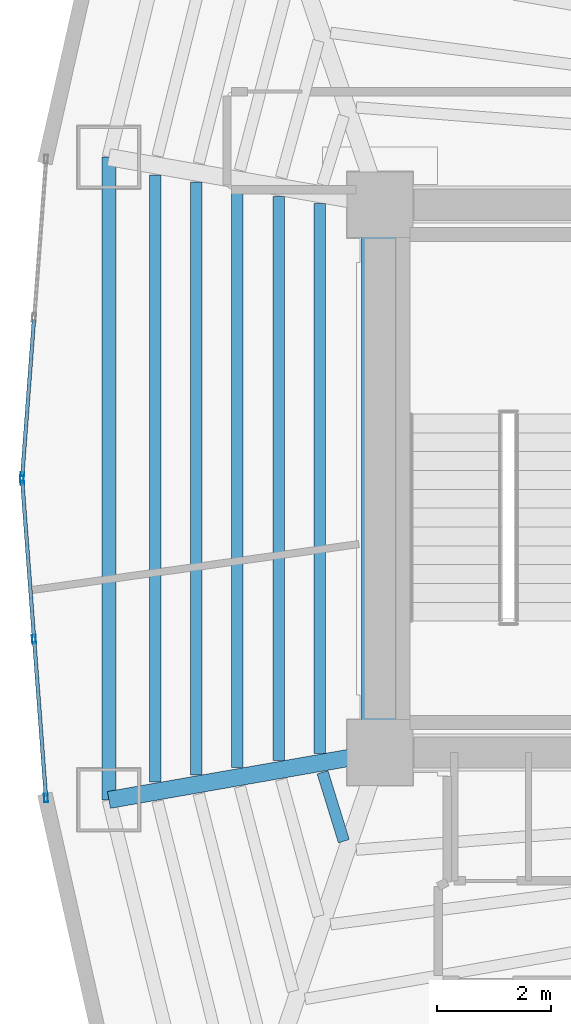
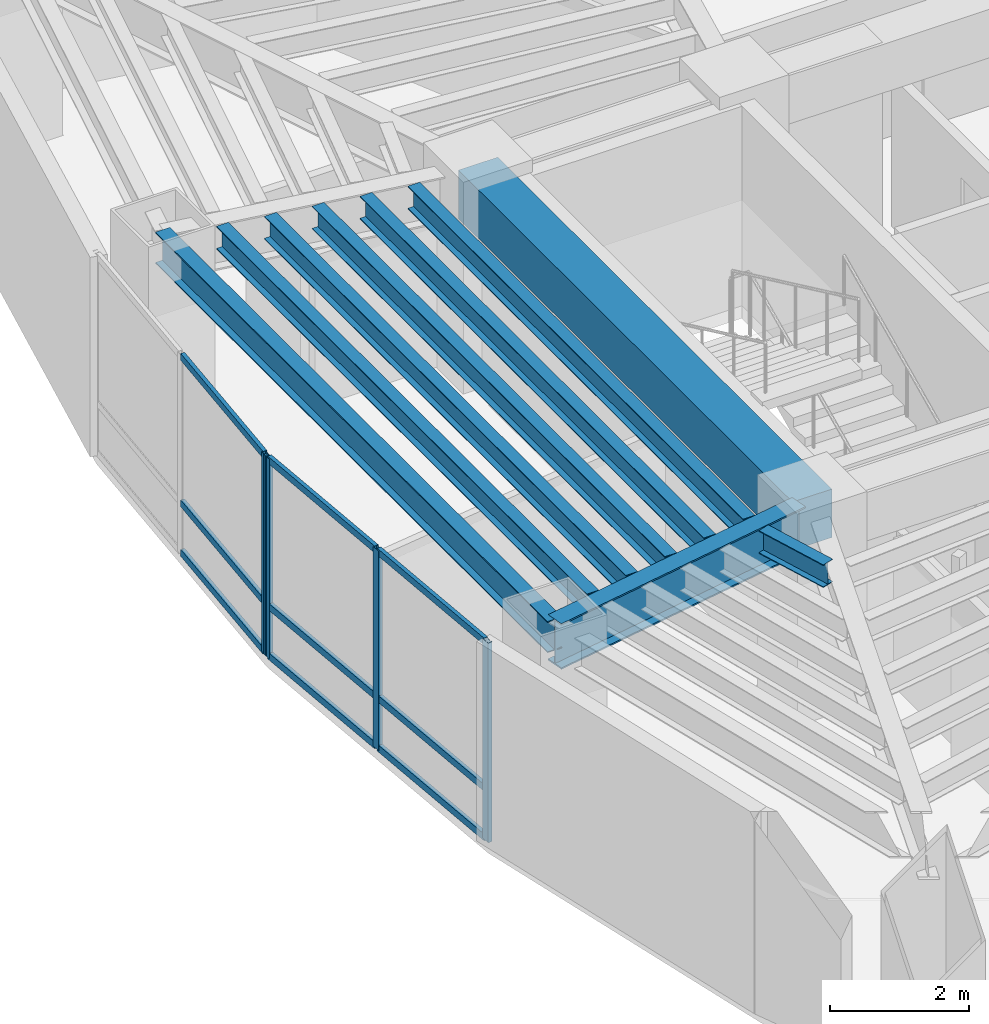
# One storey, part 3 of 15: 13 members, 9 beams, 2 elements without a shape of their own.
"""IFC4 building model written with IfcOpenShell, lengths in metres."""

from ifc_helpers import new_model, si_unit, direction, frame, origin, origin_2d, place, context, subcontext, project, spatial, rectangle, hollow_rectangle, i_section, extrude, material, layer, layer_set, material_profile, profile_set, type_object, element, aggregate, save


model = new_model("IFC4")

# Units and contexts
model_context = context("Model", 3, precision=1e-05, world=origin(), true_north=direction((0.0, 1.0)))
body_context = subcontext(model_context, "Body", "Model", "MODEL_VIEW")
ifc_project = project(units=[si_unit("LENGTHUNIT", "METRE"), si_unit("AREAUNIT", "SQUARE_METRE"), si_unit("VOLUMEUNIT", "CUBIC_METRE"), si_unit("PLANEANGLEUNIT", "RADIAN"), si_unit("MASSUNIT", "GRAM", prefix="KILO")], contexts=[model_context])

# Site, building, storey
site_placement = place(None, origin())
site = spatial("IfcSite", under=ifc_project, at=site_placement, CompositionType="ELEMENT")
building_placement = place(site_placement, origin())
building = spatial("IfcBuilding", under=site, at=building_placement, Name="Menara Vayukalpa", CompositionType="ELEMENT")
storey_placement = place(building_placement, frame((0.0, 0.0, 141.179931640625)))
storey = spatial("IfcBuildingStorey", under=building, at=storey_placement, Name="L35", CompositionType="ELEMENT", Elevation=141.179931640625)

# Beams
ifc_material_1 = material(Name="Concrete C60/75", Category="concrete")
ifc_material_profile_1 = material_profile(ifc_material_1, rectangle(XDim=0.64990234375, YDim=0.85009765625, at=origin_2d()), Name="RC 650x850")
ifc_profile_set_1 = profile_set([ifc_material_profile_1], Name="Concrete C60/75")
beam_type_1 = type_object("IfcBeamType", Name="BM-CB1", PredefinedType="BEAM", material=ifc_profile_set_1)
beam_1_placement = place(storey_placement, frame((17.800048828125, 17.199951171875, 3.074951171875), z_axis=(0.0, 1.0, 0.0), x_axis=(-1.0, 0.0, 0.0)))
element("IfcBeam", 1, at=beam_1_placement, inside=storey, type_object=beam_type_1, Name="L35 Core Tie Beam CBR7", PredefinedType="BEAM", context=body_context, shape_type="SweptSolid", body=[
    extrude(rectangle(XDim=0.64990234375, YDim=0.85009765625, at=origin_2d()), origin(), (0.0, 0.0, 1.0), 9.60009765625),
])
ifc_material_2 = material(Name="Steel S355", Category="steel")
ifc_material_profile_2 = material_profile(ifc_material_2, i_section(OverallWidth=0.300048828125, OverallDepth=0.800048828125, WebThickness=0.013916015625, FlangeThickness=0.02587890625, at=origin_2d()), Name="WF 800x300x14x26")
ifc_profile_set_2 = profile_set([ifc_material_profile_2], Name="Steel S355")
beam_type_2 = type_object("IfcBeamType", Name="BM-PG3", PredefinedType="BEAM", material=ifc_profile_set_2)
beam_2_placement = place(storey_placement, frame((17.5537109375, 17.156982421875, 3.10009765625), z_axis=(-0.985011651805, -0.172487813505, 0.0), x_axis=(0.172487813505, -0.985011651805, 0.0)))
element("IfcBeam", 2, at=beam_2_placement, inside=storey, type_object=beam_type_2, Name="L35 Primary Radial Girder RG06", PredefinedType="BEAM", context=body_context, shape_type="SweptSolid", body=[
    extrude(i_section(OverallWidth=0.300048828125, OverallDepth=0.800048828125, WebThickness=0.013916015625, FlangeThickness=0.02587890625, at=origin_2d()), origin(), (0.0, 0.0, 1.0), 4.5732421875),
])
ifc_material_3 = material(Name="Steel S355", Category="steel")
ifc_material_profile_3 = material_profile(ifc_material_3, i_section(OverallWidth=0.199951171875, OverallDepth=0.39990234375, WebThickness=0.008056640625, FlangeThickness=0.012939453125, at=origin_2d()), Name="WF 400x200x8x13")
ifc_profile_set_3 = profile_set([ifc_material_profile_3], Name="Steel S355")
beam_type_3 = type_object("IfcBeamType", Name="BM-SJ2", PredefinedType="JOIST", material=ifc_profile_set_3)
beam_3_placement = place(storey_placement, frame((16.742919921875, 26.815185546875, 3.300048828125), z_axis=(0.0, -1.0, 0.0), x_axis=(1.0, 0.0, 0.0)))
element("IfcBeam", 3, at=beam_3_placement, inside=storey, type_object=beam_type_3, Name="L35 Secondary Floor Joist SJ05-1", PredefinedType="JOIST", context=body_context, shape_type="SweptSolid", body=[
    extrude(i_section(OverallWidth=0.199951171875, OverallDepth=0.39990234375, WebThickness=0.008056640625, FlangeThickness=0.012939453125, at=origin_2d()), origin(), (0.0, 0.0, 1.0), 9.63037109375),
])
beam_4_placement = place(storey_placement, frame((16.022216796875, 26.94140625, 3.300048828125), z_axis=(0.0, -1.0, 0.0), x_axis=(1.0, 0.0, 0.0)))
element("IfcBeam", 4, at=beam_4_placement, inside=storey, type_object=beam_type_3, Name="L35 Secondary Floor Joist SJ05-2", PredefinedType="JOIST", context=body_context, shape_type="SweptSolid", body=[
    extrude(i_section(OverallWidth=0.199951171875, OverallDepth=0.39990234375, WebThickness=0.008056640625, FlangeThickness=0.012939453125, at=origin_2d()), origin(), (0.0, 0.0, 1.0), 9.8828125),
])
beam_5_placement = place(storey_placement, frame((15.301513671875, 27.0673828125, 3.300048828125), z_axis=(0.0, -1.0, 0.0), x_axis=(1.0, 0.0, 0.0)))
element("IfcBeam", 5, at=beam_5_placement, inside=storey, type_object=beam_type_3, Name="L35 Secondary Floor Joist SJ05-3", PredefinedType="JOIST", context=body_context, shape_type="SweptSolid", body=[
    extrude(i_section(OverallWidth=0.199951171875, OverallDepth=0.39990234375, WebThickness=0.008056640625, FlangeThickness=0.012939453125, at=origin_2d()), origin(), (0.0, 0.0, 1.0), 10.134765625),
])
beam_6_placement = place(storey_placement, frame((14.580810546875, 27.193603515625, 3.300048828125), z_axis=(0.0, -1.0, 0.0), x_axis=(1.0, 0.0, 0.0)))
element("IfcBeam", 6, at=beam_6_placement, inside=storey, type_object=beam_type_3, Name="L35 Secondary Floor Joist SJ05-4", PredefinedType="JOIST", context=body_context, shape_type="SweptSolid", body=[
    extrude(i_section(OverallWidth=0.199951171875, OverallDepth=0.39990234375, WebThickness=0.008056640625, FlangeThickness=0.012939453125, at=origin_2d()), origin(), (0.0, 0.0, 1.0), 10.38720703125),
])
beam_7_placement = place(storey_placement, frame((13.85986328125, 27.31982421875, 3.300048828125), z_axis=(0.0, -1.0, 0.0), x_axis=(1.0, 0.0, 0.0)))
element("IfcBeam", 7, at=beam_7_placement, inside=storey, type_object=beam_type_3, Name="L35 Secondary Floor Joist SJ05-5", PredefinedType="JOIST", context=body_context, shape_type="SweptSolid", body=[
    extrude(i_section(OverallWidth=0.199951171875, OverallDepth=0.39990234375, WebThickness=0.008056640625, FlangeThickness=0.012939453125, at=origin_2d()), origin(), (0.0, 0.0, 1.0), 10.6396484375),
])
beam_8_placement = place(storey_placement, frame((16.79296875, 16.8525390625, 3.300048828125), z_axis=(0.294927758635, -0.955519553534, 0.0), x_axis=(0.955519553534, 0.294927758635, 0.0)))
element("IfcBeam", 8, at=beam_8_placement, inside=storey, type_object=beam_type_3, Name="L35 Secondary Floor Joist SJ06-1", PredefinedType="JOIST", context=body_context, shape_type="SweptSolid", body=[
    extrude(i_section(OverallWidth=0.199951171875, OverallDepth=0.39990234375, WebThickness=0.008056640625, FlangeThickness=0.012939453125, at=origin_2d()), origin(), (0.0, 0.0, 1.0), 1.26318359375),
])
ifc_material_4 = material(Name="Steel S355", Category="steel")
ifc_material_profile_4 = material_profile(ifc_material_4, i_section(OverallWidth=0.239990234375, OverallDepth=0.550048828125, WebThickness=0.010986328125, FlangeThickness=0.01904296875, at=origin_2d()), Name="WF 550x240x11x19")
ifc_profile_set_4 = profile_set([ifc_material_profile_4], Name="Steel S355")
beam_type_4 = type_object("IfcBeamType", Name="BM-SP2", PredefinedType="SPANDREL", material=ifc_profile_set_4)
beam_9_placement = place(storey_placement, frame((13.049072265625, 27.6318359375, 3.22509765625), z_axis=(0.0, -1.0, 0.0), x_axis=(1.0, 0.0, 0.0)))
element("IfcBeam", 9, at=beam_9_placement, inside=storey, type_object=beam_type_4, Name="L35 Perimeter Spandrel Beam SP05", PredefinedType="SPANDREL", context=body_context, shape_type="SweptSolid", body=[
    extrude(i_section(OverallWidth=0.239990234375, OverallDepth=0.550048828125, WebThickness=0.010986328125, FlangeThickness=0.01904296875, at=origin_2d()), origin(), (0.0, 0.0, 1.0), 11.263671875),
])

# Curtain wall, member
ifc_material_5 = material(Name="Anodised Terracotta Aluminium Alloy 6063-T6", Category="masonry")
ifc_layer = layer(ifc_material_5, 0.14990234375)
ifc_layer_set = layer_set([ifc_layer], Name="Anodised Terracotta Aluminium Alloy 6063-T6")
curtain_wall_type = type_object("IfcCurtainWallType", Name="CW-CW3", PredefinedType="USERDEFINED", material=ifc_layer_set)
curtain_wall_1_placement = place(storey_placement, origin())
curtain_wall_1 = element("IfcCurtainWall", 10, at=curtain_wall_1_placement, inside=storey, type_object=curtain_wall_type, Name="L35 Mid Rise Terracotta Ribbon Curtain Wall CW3 10", ObjectType="UNITISED", PredefinedType="USERDEFINED")
ifc_material_6 = material(Name="Anodised Terracotta Aluminium Alloy 6063-T6", Category="masonry")
ifc_material_profile_5 = material_profile(ifc_material_6, hollow_rectangle(XDim=0.06494140625, YDim=0.14990234375, WallThickness=0.00341796875, at=origin_2d()), Name="ALU 65x150x3.5")
ifc_profile_set_5 = profile_set([ifc_material_profile_5], Name="Anodised Terracotta Aluminium Alloy 6063-T6")
member_type_1 = type_object("IfcMemberType", Name="CWM-CW3", PredefinedType="MULLION", material=ifc_profile_set_5)
member_1_placement = place(storey_placement, frame((11.529052734375, 22.032470703125, 0.0), z_axis=(0.0, 0.0, 1.0), x_axis=(0.997199111801, -0.074792589364, 0.0)))
member_1 = element("IfcMember", 11, at=member_1_placement, type_object=member_type_1, Name="CW3 mullion 3", PredefinedType="MULLION", context=body_context, shape_type="SweptSolid", body=[
    extrude(hollow_rectangle(XDim=0.06494140625, YDim=0.14990234375, WallThickness=0.00341796875, at=origin_2d()), origin(), (0.0, 0.0, 1.0), 3.5),
])

# Curtain wall, members
curtain_wall_2_placement = place(storey_placement, origin())
curtain_wall_2 = element("IfcCurtainWall", 12, at=curtain_wall_2_placement, inside=storey, type_object=curtain_wall_type, Name="L35 Mid Rise Terracotta Ribbon Curtain Wall CW3 11", ObjectType="UNITISED", PredefinedType="USERDEFINED")
member_2_placement = place(storey_placement, frame((11.529052734375, 21.967529296875, 0.0), z_axis=(0.0, 0.0, 1.0), x_axis=(0.997199111801, 0.074792589364, 0.0)))
member_2 = element("IfcMember", 13, at=member_2_placement, type_object=member_type_1, Name="CW3 mullion 1", PredefinedType="MULLION", context=body_context, shape_type="SweptSolid", body=[
    extrude(hollow_rectangle(XDim=0.06494140625, YDim=0.14990234375, WallThickness=0.00341796875, at=origin_2d()), origin(), (0.0, 0.0, 1.0), 3.5),
])
member_3_placement = place(storey_placement, frame((11.73779296875, 19.18408203125, 0.0), z_axis=(0.0, 0.0, 1.0), x_axis=(0.997199111801, 0.074792589364, 0.0)))
member_3 = element("IfcMember", 14, at=member_3_placement, type_object=member_type_1, Name="CW3 mullion 2", PredefinedType="MULLION", context=body_context, shape_type="SweptSolid", body=[
    extrude(hollow_rectangle(XDim=0.06494140625, YDim=0.14990234375, WallThickness=0.00341796875, at=origin_2d()), origin(), (0.0, 0.0, 1.0), 3.5),
])
member_4_placement = place(storey_placement, frame((11.94677734375, 16.400634765625, 0.0), z_axis=(0.0, 0.0, 1.0), x_axis=(0.997199111801, 0.074792589364, 0.0)))
member_4 = element("IfcMember", 15, at=member_4_placement, type_object=member_type_1, Name="CW3 mullion 3", PredefinedType="MULLION", context=body_context, shape_type="SweptSolid", body=[
    extrude(hollow_rectangle(XDim=0.06494140625, YDim=0.14990234375, WallThickness=0.00341796875, at=origin_2d()), origin(), (0.0, 0.0, 1.0), 3.5),
])

# Member
ifc_material_7 = material(Name="Anodised Terracotta Aluminium Alloy 6063-T6", Category="masonry")
ifc_material_profile_6 = material_profile(ifc_material_7, hollow_rectangle(XDim=0.06494140625, YDim=0.1201171875, WallThickness=0.00341796875, at=origin_2d()), Name="ALU 65x120x3.5")
ifc_profile_set_6 = profile_set([ifc_material_profile_6], Name="Anodised Terracotta Aluminium Alloy 6063-T6")
member_type_2 = type_object("IfcMemberType", Name="CWT-CW3", PredefinedType="USERDEFINED", material=ifc_profile_set_6)
member_5_placement = place(storey_placement, frame((11.7353515625, 24.783447265625, 0.032470703125), z_axis=(-0.074772138913, -0.997200645428, 0.0), x_axis=(0.997200645428, -0.074772138913, 0.0)))
member_5 = element("IfcMember", 16, at=member_5_placement, type_object=member_type_2, Name="CW3 transom 2.1", ObjectType="TRANSOM", PredefinedType="USERDEFINED", context=body_context, shape_type="SweptSolid", body=[
    extrude(hollow_rectangle(XDim=0.06494140625, YDim=0.1201171875, WallThickness=0.00341796875, at=origin_2d()), origin(), (0.0, 0.0, 1.0), 2.726318359375),
])

member_6_placement = place(storey_placement, frame((11.7353515625, 24.783447265625, 0.900146484375), z_axis=(-0.074772138913, -0.997200645428, 0.0), x_axis=(0.997200645428, -0.074772138913, 0.0)))
member_6 = element("IfcMember", 17, at=member_6_placement, type_object=member_type_2, Name="CW3 transom 2.2", ObjectType="TRANSOM", PredefinedType="USERDEFINED", context=body_context, shape_type="SweptSolid", body=[
    extrude(hollow_rectangle(XDim=0.06494140625, YDim=0.1201171875, WallThickness=0.00341796875, at=origin_2d()), origin(), (0.0, 0.0, 1.0), 2.726318359375),
])

member_7_placement = place(storey_placement, frame((11.7353515625, 24.783447265625, 3.467529296875), z_axis=(-0.074772138913, -0.997200645428, 0.0), x_axis=(0.997200645428, -0.074772138913, 0.0)))
member_7 = element("IfcMember", 18, at=member_7_placement, type_object=member_type_2, Name="CW3 transom 2.3", ObjectType="TRANSOM", PredefinedType="USERDEFINED", context=body_context, shape_type="SweptSolid", body=[
    extrude(hollow_rectangle(XDim=0.06494140625, YDim=0.1201171875, WallThickness=0.00341796875, at=origin_2d()), origin(), (0.0, 0.0, 1.0), 2.726318359375),
])

aggregate(curtain_wall_1, [member_1, member_5, member_6, member_7])

member_8_placement = place(storey_placement, frame((11.531494140625, 21.935302734375, 0.032470703125), z_axis=(0.074772138913, -0.997200645428, 0.0), x_axis=(0.997200645428, 0.074772138913, 0.0)))
member_8 = element("IfcMember", 19, at=member_8_placement, type_object=member_type_2, Name="CW3 transom 1.1", ObjectType="TRANSOM", PredefinedType="USERDEFINED", context=body_context, shape_type="SweptSolid", body=[
    extrude(hollow_rectangle(XDim=0.06494140625, YDim=0.1201171875, WallThickness=0.00341796875, at=origin_2d()), origin(), (0.0, 0.0, 1.0), 2.726318359375),
])

member_9_placement = place(storey_placement, frame((11.531494140625, 21.935302734375, 0.900146484375), z_axis=(0.074772138913, -0.997200645428, 0.0), x_axis=(0.997200645428, 0.074772138913, 0.0)))
member_9 = element("IfcMember", 20, at=member_9_placement, type_object=member_type_2, Name="CW3 transom 1.2", ObjectType="TRANSOM", PredefinedType="USERDEFINED", context=body_context, shape_type="SweptSolid", body=[
    extrude(hollow_rectangle(XDim=0.06494140625, YDim=0.1201171875, WallThickness=0.00341796875, at=origin_2d()), origin(), (0.0, 0.0, 1.0), 2.726318359375),
])

member_10_placement = place(storey_placement, frame((11.531494140625, 21.935302734375, 3.467529296875), z_axis=(0.074772138913, -0.997200645428, 0.0), x_axis=(0.997200645428, 0.074772138913, 0.0)))
member_10 = element("IfcMember", 21, at=member_10_placement, type_object=member_type_2, Name="CW3 transom 1.3", ObjectType="TRANSOM", PredefinedType="USERDEFINED", context=body_context, shape_type="SweptSolid", body=[
    extrude(hollow_rectangle(XDim=0.06494140625, YDim=0.1201171875, WallThickness=0.00341796875, at=origin_2d()), origin(), (0.0, 0.0, 1.0), 2.726318359375),
])

member_11_placement = place(storey_placement, frame((11.740234375, 19.151611328125, 0.032470703125), z_axis=(0.074867870211, -0.997193462679, 0.0), x_axis=(0.997193462679, 0.074867870211, 0.0)))
member_11 = element("IfcMember", 22, at=member_11_placement, type_object=member_type_2, Name="CW3 transom 2.1", ObjectType="TRANSOM", PredefinedType="USERDEFINED", context=body_context, shape_type="SweptSolid", body=[
    extrude(hollow_rectangle(XDim=0.06494140625, YDim=0.1201171875, WallThickness=0.00341796875, at=origin_2d()), origin(), (0.0, 0.0, 1.0), 2.72607421875),
])

member_12_placement = place(storey_placement, frame((11.740234375, 19.151611328125, 0.900146484375), z_axis=(0.074867870211, -0.997193462679, 0.0), x_axis=(0.997193462679, 0.074867870211, 0.0)))
member_12 = element("IfcMember", 23, at=member_12_placement, type_object=member_type_2, Name="CW3 transom 2.2", ObjectType="TRANSOM", PredefinedType="USERDEFINED", context=body_context, shape_type="SweptSolid", body=[
    extrude(hollow_rectangle(XDim=0.06494140625, YDim=0.1201171875, WallThickness=0.00341796875, at=origin_2d()), origin(), (0.0, 0.0, 1.0), 2.72607421875),
])

member_13_placement = place(storey_placement, frame((11.740234375, 19.151611328125, 3.467529296875), z_axis=(0.074867870211, -0.997193462679, 0.0), x_axis=(0.997193462679, 0.074867870211, 0.0)))
member_13 = element("IfcMember", 24, at=member_13_placement, type_object=member_type_2, Name="CW3 transom 2.3", ObjectType="TRANSOM", PredefinedType="USERDEFINED", context=body_context, shape_type="SweptSolid", body=[
    extrude(hollow_rectangle(XDim=0.06494140625, YDim=0.1201171875, WallThickness=0.00341796875, at=origin_2d()), origin(), (0.0, 0.0, 1.0), 2.72607421875),
])

aggregate(curtain_wall_2, [member_2, member_3, member_4, member_8, member_9, member_10, member_11, member_12, member_13])

save(model, "model.ifc")
